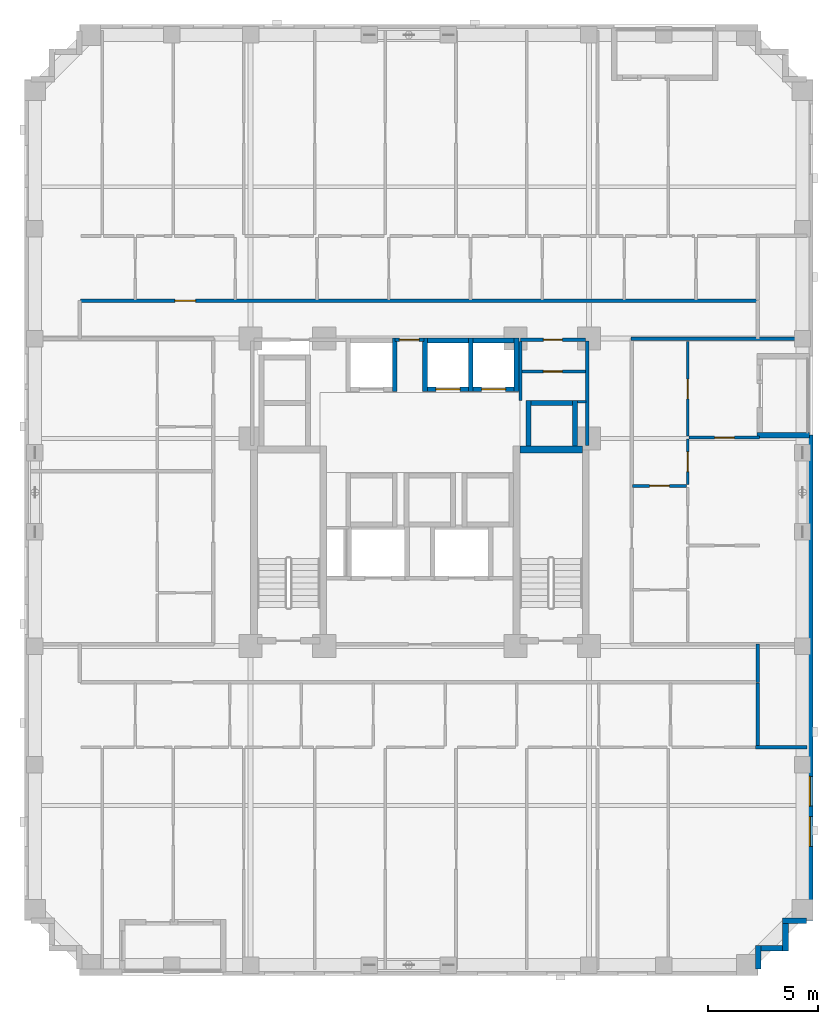
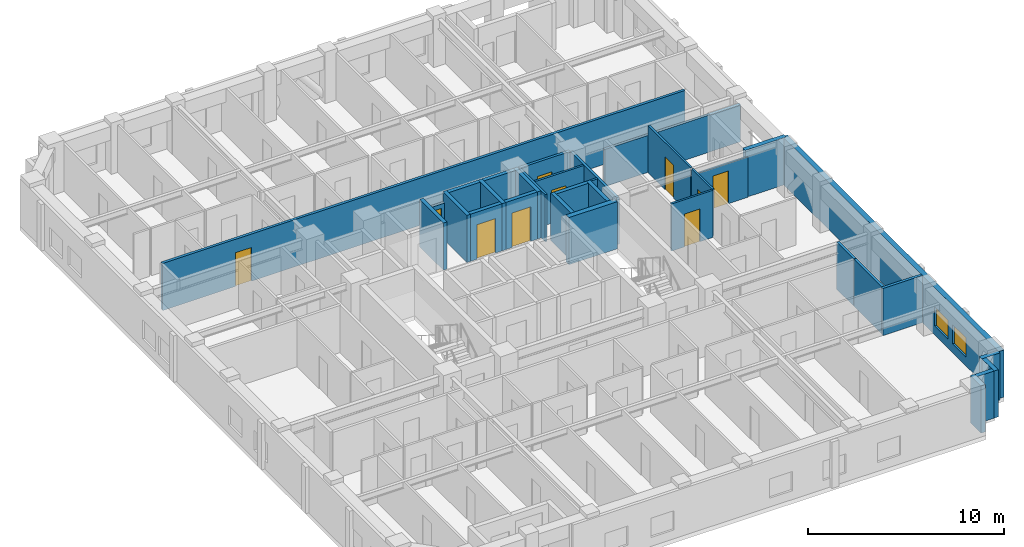
# One storey, part 6 of 13: 33 walls, 10 doors, 2 windows, 12 openings.
"""IFC4 building model written with IfcOpenShell, lengths in metres."""

import ifcopenshell
import ifcopenshell.guid

model = None  # the IFC model being written
_history = None  # IfcOwnerHistory: only IFC2X3 demands one
_inside = {}  # id of a spatial element -> (the spatial element, [elements in it])
_under = {}  # id of a project, library or spatial element -> (it, [spatial elements below it])
_declared = {}  # id of a project -> (the project, [libraries it declares])
_typed = {}  # id of a type object -> (the type object, [elements of that type])
_made_of = {}  # id of a material, layer set ... -> (it, [elements and type objects made of it])


def new_model(schema):
    """Start an empty IFC model of exactly this schema.

    Asked for "IFC4X3", IfcOpenShell would pick the latest addendum, in which some entities
    have other attributes; the version numbers below select the first issue.
    IFC2X3 requires an IfcOwnerHistory on every rooted entity: one is made here for all.
    """
    global model, _history
    if schema == "IFC4X3":
        model = ifcopenshell.file(schema_version=(4, 3, 0, 0))
    else:
        model = ifcopenshell.file(schema=schema)
    _inside.clear()
    _under.clear()
    _declared.clear()
    _typed.clear()
    _made_of.clear()
    _history = None
    if model.schema == "IFC2X3":
        org = make("IfcOrganization", Name="unknown")
        user = make(
            "IfcPersonAndOrganization",
            ThePerson=make("IfcPerson", FamilyName="unknown"),
            TheOrganization=org,
        )
        app = make(
            "IfcApplication",
            ApplicationDeveloper=org,
            Version="unknown",
            ApplicationFullName="unknown",
            ApplicationIdentifier="unknown",
        )
        _history = make(
            "IfcOwnerHistory",
            OwningUser=user,
            OwningApplication=app,
            ChangeAction="ADDED",
            CreationDate=0,
        )
    return model


def make(cls, **values):
    """One entity of the class cls with the attributes given. An attribute that is None is left unset."""
    return model.create_entity(
        cls, **{name: value for name, value in values.items() if value is not None}
    )


def rooted(cls, **values):
    """An entity with a GlobalId (a new one), such as an element, a storey or a relation."""
    return make(cls, GlobalId=ifcopenshell.guid.new(), OwnerHistory=_history, **values)


def si_unit(unit_type, name, prefix=None):
    """IfcSIUnit, for example si_unit("LENGTHUNIT", "METRE", prefix="MILLI")."""
    return make("IfcSIUnit", UnitType=unit_type, Prefix=prefix, Name=name)


def derived_unit(unit_type, elements):
    """IfcDerivedUnit: a product of units, each with its exponent."""
    return make(
        "IfcDerivedUnit",
        Elements=[
            make("IfcDerivedUnitElement", Unit=unit, Exponent=power)
            for unit, power in elements
        ],
        UnitType=unit_type,
    )


def assignment(units):
    """IfcUnitAssignment: the units of a project."""
    return None if units is None else make("IfcUnitAssignment", Units=units)


def point(xyz):
    """IfcCartesianPoint."""
    return None if xyz is None else make("IfcCartesianPoint", Coordinates=xyz)


def direction(xyz):
    """IfcDirection."""
    return None if xyz is None else make("IfcDirection", DirectionRatios=xyz)


def frame(location, z_axis=None, x_axis=None):
    """IfcAxis2Placement3D, a coordinate frame: its origin and axes. An axis left out is left unset."""
    return make(
        "IfcAxis2Placement3D",
        Location=point(location),
        Axis=direction(z_axis),
        RefDirection=direction(x_axis),
    )


def frame_2d(location, x_axis=None):
    """IfcAxis2Placement2D, a coordinate frame in the plane: its origin and x axis."""
    return make(
        "IfcAxis2Placement2D", Location=point(location), RefDirection=direction(x_axis)
    )


def origin():
    """The frame at (0, 0, 0) with its axes left unset."""
    return frame((0.0, 0.0, 0.0))


def place(relative_to, where):
    """IfcLocalPlacement: puts the frame where relative to a parent placement (None: the world)."""
    return make(
        "IfcLocalPlacement", PlacementRelTo=relative_to, RelativePlacement=where
    )


def context(
    kind, dimensions, precision=None, world=None, true_north=None, identifier=None
):
    """IfcGeometricRepresentationContext, for example the 3D "Model" context."""
    return make(
        "IfcGeometricRepresentationContext",
        ContextIdentifier=identifier,
        ContextType=kind,
        CoordinateSpaceDimension=dimensions,
        Precision=precision,
        WorldCoordinateSystem=world,
        TrueNorth=true_north,
    )


def subcontext(parent, identifier, kind, view, scale=None):
    """IfcGeometricRepresentationSubContext, for example "Body" below "Model"."""
    return make(
        "IfcGeometricRepresentationSubContext",
        ContextIdentifier=identifier,
        ContextType=kind,
        ParentContext=parent,
        TargetScale=scale,
        TargetView=view,
    )


def project(units=None, contexts=None):
    """IfcProject with its units and contexts."""
    return rooted(
        "IfcProject",
        Name="project",
        RepresentationContexts=contexts,
        UnitsInContext=assignment(units),
    )


def spatial(cls, under=None, at=None, **own):
    """A site, building, storey or space (cls), placed at a placement, below another one or the project."""
    s = rooted(cls, ObjectPlacement=at, **own)
    if under is not None:
        _under.setdefault(under.id(), (under, []))[1].append(s)
    return s


def profile(cls, at=None, kind="AREA", **sizes):
    """A parametric profile (cls). Its sizes go by their IFC names, for example OverallWidth=200.0."""
    return make(cls, ProfileType=kind, Position=at, **sizes)


def rectangle(**sizes):
    """IfcRectangleProfileDef."""
    return profile("IfcRectangleProfileDef", **sizes)


def extrude(swept, where, along, depth):
    """IfcExtrudedAreaSolid: the profile swept, set in the frame where, extruded along a direction by depth."""
    return make(
        "IfcExtrudedAreaSolid",
        SweptArea=swept,
        Position=where,
        ExtrudedDirection=direction(along),
        Depth=depth,
    )


def shape(context_of_items, identifier, shape_type, items):
    """IfcShapeRepresentation: the items that make up one representation, for example the "Body"."""
    return make(
        "IfcShapeRepresentation",
        ContextOfItems=context_of_items,
        RepresentationIdentifier=identifier,
        RepresentationType=shape_type,
        Items=items,
    )


def material(Name=None, Category=None):
    """IfcMaterial."""
    return make("IfcMaterial", Name=Name, Category=Category)


def layer(
    of_material, thickness, ventilated=None, Name=None, Category=None, Priority=None
):
    """IfcMaterialLayer: one layer of a wall or slab, of a material (None: an air gap)."""
    return make(
        "IfcMaterialLayer",
        Material=of_material,
        LayerThickness=thickness,
        IsVentilated=ventilated,
        Name=Name,
        Category=Category,
        Priority=Priority,
    )


def layer_set(layers, Name=None):
    """IfcMaterialLayerSet."""
    return make("IfcMaterialLayerSet", MaterialLayers=layers, LayerSetName=Name)


def made_of(thing, what):
    """Note that an element or type object is made of a material, layer set ...; save() writes the relation."""
    if what is not None:
        _made_of.setdefault(what.id(), (what, []))[1].append(thing)
    return thing


def type_object(cls, material=None, **own):
    """A type object (cls), such as IfcWallType, which elements share."""
    return made_of(rooted(cls, **own), material)


def element(
    cls,
    number,
    at=None,
    inside=None,
    cuts=None,
    type_object=None,
    material=None,
    context=None,
    identifier="Body",
    shape_type=None,
    held_by="IfcProductDefinitionShape",
    body=None,
    shapes=None,
    **own,
):
    """One element of the class cls, such as IfcWall. Its Tag is "e" and its number.

    at: its placement. inside: the storey or other place that contains it. cuts: it is an
    opening in that element (IfcRelVoidsElement). A single representation is given by context,
    identifier, shape_type and body (its items); several are given by shapes. held_by: the class
    of the entity that holds the representations. save() writes the other relations.
    """
    e = rooted(cls, Tag="e%d" % number, ObjectPlacement=at, **own)
    if body is not None:
        shapes = [shape(context, identifier, shape_type, body)]
    if shapes is not None:
        e.Representation = make(held_by, Representations=shapes)
    if inside is not None:
        _inside.setdefault(inside.id(), (inside, []))[1].append(e)
    if cuts is not None:
        rooted(
            "IfcRelVoidsElement", RelatingBuildingElement=cuts, RelatedOpeningElement=e
        )
    if type_object is not None:
        _typed.setdefault(type_object.id(), (type_object, []))[1].append(e)
    return made_of(e, material)


def fill(opening, filler):
    """IfcRelFillsElement: the door or window that sits in an opening."""
    return rooted(
        "IfcRelFillsElement",
        RelatingOpeningElement=opening,
        RelatedBuildingElement=filler,
    )


def aggregate(whole, parts):
    """IfcRelAggregates: a whole, such as a stair, and the parts it consists of."""
    return rooted("IfcRelAggregates", RelatingObject=whole, RelatedObjects=parts)


def save(model, path):
    """Write the relations noted so far, then the file.

    IfcRelAggregates (storeys below a building ...), IfcRelContainedInSpatialStructure (elements
    in a storey), IfcRelDefinesByType, IfcRelAssociatesMaterial and IfcRelDeclares: one each for
    every whole, place, type object, material and project.
    """
    for whole, parts in _under.values():
        aggregate(whole, parts)
    for where, things in _inside.values():
        rooted(
            "IfcRelContainedInSpatialStructure",
            RelatedElements=things,
            RelatingStructure=where,
        )
    for kind, things in _typed.values():
        rooted("IfcRelDefinesByType", RelatedObjects=things, RelatingType=kind)
    for what, things in _made_of.values():
        rooted("IfcRelAssociatesMaterial", RelatedObjects=things, RelatingMaterial=what)
    for by, libraries in _declared.values():
        rooted("IfcRelDeclares", RelatingContext=by, RelatedDefinitions=libraries)
    model.write(path)


model = new_model("IFC4")

# Units and contexts
model_context = context("Model", 3, precision=1e-05, world=origin(), true_north=direction((0.0, 1.0)))
body_context = subcontext(model_context, "Body", "Model", "MODEL_VIEW")
ifc_project = project(units=[si_unit("LENGTHUNIT", "METRE"), si_unit("AREAUNIT", "SQUARE_METRE"), si_unit("VOLUMEUNIT", "CUBIC_METRE"), si_unit("PLANEANGLEUNIT", "RADIAN"), si_unit("MASSUNIT", "GRAM", prefix="KILO"), derived_unit("THERMALTRANSMITTANCEUNIT", [(si_unit("MASSUNIT", "GRAM", prefix="KILO"), 1), (si_unit("TIMEUNIT", "SECOND"), -3), (si_unit("THERMODYNAMICTEMPERATUREUNIT", "KELVIN"), -1)])], contexts=[model_context])

# Site, building, storey
site_placement = place(None, origin())
site = spatial("IfcSite", under=ifc_project, at=site_placement, CompositionType="ELEMENT")
building_placement = place(site_placement, origin())
building = spatial("IfcBuilding", under=site, at=building_placement, Name="Korrvale Station Residences", CompositionType="ELEMENT")
storey_placement = place(building_placement, frame((0.0, 0.0, 100.699951171875)))
storey = spatial("IfcBuildingStorey", under=building, at=storey_placement, Name="L28", CompositionType="ELEMENT", Elevation=100.699951171875)

# Walls
ifc_material_1 = material(Name="Concrete C60/75", Category="concrete")
ifc_layer_1 = layer(ifc_material_1, 0.300048828125, Name="Concrete C60/75")
ifc_layer_set_1 = layer_set([ifc_layer_1], Name="Concrete C60/75")
wall_type_1 = type_object("IfcWallType", Name="WAL-CORE-300-C60", PredefinedType="SHEAR", material=ifc_layer_set_1)
wall_1_placement = place(storey_placement, frame((30.050048828125, 23.949951171875, 0.0), z_axis=(0.0, 0.0, 1.0), x_axis=(1.0, 0.0, 0.0)))
element("IfcWall", 1, at=wall_1_placement, inside=storey, type_object=wall_type_1, Name="L28 ST-2 Core Shear Wall North", PredefinedType="SHEAR", context=body_context, shape_type="SweptSolid", body=[
    extrude(rectangle(XDim=2.849853515625, YDim=0.300048828125, at=frame_2d((1.4248046875, 0.0))), origin(), (0.0, 0.0, 1.0), 2.93994140625),
])
ifc_material_2 = material(Name="Precast concrete C45/55", Category="concrete")
ifc_layer_2 = layer(ifc_material_2, 0.260009765625, Name="Precast concrete C45/55")
ifc_layer_set_2 = layer_set([ifc_layer_2], Name="Precast concrete C45/55")
wall_type_2 = type_object("IfcWallType", Name="WAL-EXT-LOG260", PredefinedType="SOLIDWALL", material=ifc_layer_set_2)
wall_2_placement = place(storey_placement, frame((40.840087890625, 24.60009765625, 0.0), z_axis=(0.0, 0.0, 1.0), x_axis=(1.0, 0.0, 0.0)))
element("IfcWall", 2, at=wall_2_placement, inside=storey, type_object=wall_type_2, Name="L28 Recessed Loggia Wall BAL-L28-E1-R", PredefinedType="SOLIDWALL", context=body_context, shape_type="SweptSolid", body=[
    extrude(rectangle(XDim=2.39990234375, YDim=0.260009765625, at=frame_2d((1.199951171875, 0.0))), origin(), (0.0, 0.0, 1.0), 2.93994140625),
])
wall_3_placement = place(storey_placement, frame((43.097900390625, 2.5, 0.0), z_axis=(0.0, 0.0, 1.0), x_axis=(-1.0, 0.0, 0.0)))
element("IfcWall", 3, at=wall_3_placement, inside=storey, type_object=wall_type_2, Name="L28 Serrated Corner Precast Step SE-1", PredefinedType="SOLIDWALL", context=body_context, shape_type="SweptSolid", body=[
    extrude(rectangle(XDim=1.077880859375, YDim=0.260009765625, at=frame_2d((0.5390625, 0.0))), origin(), (0.0, 0.0, 1.0), 2.93994140625),
])
wall_4_placement = place(storey_placement, frame((42.14990234375, 2.367919921875, 0.0), z_axis=(0.0, 0.0, 1.0), x_axis=(0.0, -1.0, 0.0)))
element("IfcWall", 4, at=wall_4_placement, inside=storey, type_object=wall_type_2, Name="L28 Serrated Corner Precast Step SE-2", PredefinedType="SOLIDWALL", context=body_context, shape_type="SweptSolid", body=[
    extrude(rectangle(XDim=1.247802734375, YDim=0.260009765625, at=frame_2d((0.6240234375, 0.0))), origin(), (0.0, 0.0, 1.0), 2.93994140625),
])
wall_5_placement = place(storey_placement, frame((42.01806640625, 1.25, 0.0), z_axis=(0.0, 0.0, 1.0), x_axis=(-1.0, 0.0, 0.0)))
element("IfcWall", 5, at=wall_5_placement, inside=storey, type_object=wall_type_2, Name="L28 Serrated Corner Precast Step SE-3", PredefinedType="SOLIDWALL", context=body_context, shape_type="SweptSolid", body=[
    extrude(rectangle(XDim=0.986083984375, YDim=0.260009765625, at=frame_2d((0.4931640625, 0.0))), origin(), (0.0, 0.0, 1.0), 2.93994140625),
])
wall_6_placement = place(storey_placement, frame((40.89990234375, 1.3798828125, 0.0), z_axis=(0.0, 0.0, 1.0), x_axis=(0.0, -1.0, 0.0)))
element("IfcWall", 6, at=wall_6_placement, inside=storey, type_object=wall_type_2, Name="L28 Serrated Corner Precast Step SE-4", PredefinedType="SOLIDWALL", context=body_context, shape_type="SweptSolid", body=[
    extrude(rectangle(XDim=1.077880859375, YDim=0.260009765625, at=frame_2d((0.5390625, 0.0))), origin(), (0.0, 0.0, 1.0), 2.93994140625),
])

# Wall, openings, windows
ifc_layer_3 = layer(ifc_material_2, 0.300048828125, Name="Precast concrete C45/55")
ifc_layer_set_3 = layer_set([ifc_layer_3], Name="Precast concrete C45/55")
wall_type_3 = type_object("IfcWallType", Name="WAL-EXT-PC300", PredefinedType="SOLIDWALL", material=ifc_layer_set_3)
wall_7_placement = place(storey_placement, frame((43.25, 24.60009765625, 0.0), z_axis=(0.0, 0.0, 1.0), x_axis=(0.0, -1.0, 0.0)))
wall_7 = element("IfcWall", 7, at=wall_7_placement, inside=storey, type_object=wall_type_3, Name="L28 East Exterior Precast Wall 2", PredefinedType="SOLIDWALL", context=body_context, shape_type="SweptSolid", body=[
    extrude(rectangle(XDim=22.10009765625, YDim=0.300048828125, at=frame_2d((11.050048828125, 0.0))), origin(), (0.0, 0.0, 1.0), 2.93994140625),
])
opening_1_placement = place(wall_7_placement, frame((17.365966796875, 0.0, 0.550048828125)))
opening_1 = element("IfcOpeningElement", 8, at=opening_1_placement, cuts=wall_7, Name="Opening W-10", PredefinedType="OPENING", context=body_context, shape_type="SweptSolid", body=[
    extrude(rectangle(XDim=1.35009765625, YDim=1.199951171875, at=frame_2d((0.675048828125, 0.60009765625))), frame((0.0, 0.16015625, 0.0), z_axis=(0.0, -1.0, 0.0), x_axis=(1.0, 0.0, 0.0)), (0.0, 0.0, 1.0), 0.320068359375),
])
opening_2_placement = place(wall_7_placement, frame((15.534912109375, 0.0, 0.550048828125)))
opening_2 = element("IfcOpeningElement", 9, at=opening_2_placement, cuts=wall_7, Name="Opening W-10", PredefinedType="OPENING", context=body_context, shape_type="SweptSolid", body=[
    extrude(rectangle(XDim=1.35009765625, YDim=1.199951171875, at=frame_2d((0.675048828125, 0.60009765625))), frame((0.0, 0.16015625, 0.0), z_axis=(0.0, -1.0, 0.0), x_axis=(1.0, 0.0, 0.0)), (0.0, 0.0, 1.0), 0.320068359375),
])
ifc_material_3 = material(Name="Thermally broken aluminium frame with triple low-e glazing", Category="aluminium")
window_type = type_object("IfcWindowType", Name="WIN-W10", PartitioningType="SINGLE_PANEL", PredefinedType="WINDOW", material=ifc_material_3)
window_1_placement = place(opening_1_placement, origin())
window_1 = element("IfcWindow", 10, at=window_1_placement, inside=storey, type_object=window_type, Name="L28 Punched Window 10", OverallHeight=1.199951171875, OverallWidth=1.35009765625, PartitioningType="SINGLE_PANEL", PredefinedType="WINDOW", context=body_context, shape_type="SweptSolid", body=[
    extrude(rectangle(XDim=1.35009765625, YDim=1.199951171875, at=frame_2d((0.675048828125, 0.60009765625))), frame((0.0, 0.030029296875, 0.0), z_axis=(0.0, -1.0, 0.0), x_axis=(1.0, 0.0, 0.0)), (0.0, 0.0, 1.0), 0.06005859375),
])
fill(opening_1, window_1)
window_2_placement = place(opening_2_placement, origin())
window_2 = element("IfcWindow", 11, at=window_2_placement, inside=storey, type_object=window_type, Name="L28 Punched Window 11", OverallHeight=1.199951171875, OverallWidth=1.35009765625, PartitioningType="SINGLE_PANEL", PredefinedType="WINDOW", context=body_context, shape_type="SweptSolid", body=[
    extrude(rectangle(XDim=1.35009765625, YDim=1.199951171875, at=frame_2d((0.675048828125, 0.60009765625))), frame((0.0, 0.030029296875, 0.0), z_axis=(0.0, -1.0, 0.0), x_axis=(1.0, 0.0, 0.0)), (0.0, 0.0, 1.0), 0.06005859375),
])
fill(opening_2, window_2)

# Walls
ifc_material_4 = material(Name="Acoustic steel-stud gypsum board partition", Category="steel")
ifc_layer_4 = layer(ifc_material_4, 0.1201171875, Name="Acoustic steel-stud gypsum board partition")
ifc_layer_set_4 = layer_set([ifc_layer_4], Name="Acoustic steel-stud gypsum board partition")
wall_type_4 = type_object("IfcWallType", Name="WAL-PART-125", PredefinedType="PARTITIONING", material=ifc_layer_set_4)
wall_8_placement = place(storey_placement, frame((30.080078125, 26.179931640625, 0.0), z_axis=(0.0, 0.0, 1.0), x_axis=(0.0, 1.0, 0.0)))
element("IfcWall", 12, at=wall_8_placement, inside=storey, type_object=wall_type_4, Name="L28 Core Partition CW-CS-W", PredefinedType="PARTITIONING", context=body_context, shape_type="SweptSolid", body=[
    extrude(rectangle(XDim=2.68017578125, YDim=0.1201171875, at=frame_2d((1.340087890625, 0.0))), origin(), (0.0, 0.0, 1.0), 2.93994140625),
])
wall_9_placement = place(storey_placement, frame((32.679931640625, 26.1201171875, 0.0), z_axis=(0.0, 0.0, 1.0), x_axis=(1.0, 0.0, 0.0)))
element("IfcWall", 13, at=wall_9_placement, inside=storey, type_object=wall_type_4, Name="L28 Core Partition CW-CS-S", PredefinedType="PARTITIONING", context=body_context, shape_type="SweptSolid", body=[
    extrude(rectangle(XDim=0.380126953125, YDim=0.1201171875, at=frame_2d((0.18994140625, 0.0))), origin(), (0.0, 0.0, 1.0), 2.93994140625),
])

# Wall, opening, door
wall_10_placement = place(storey_placement, frame((30.159912109375, 27.5, 0.0), z_axis=(0.0, 0.0, 1.0), x_axis=(1.0, 0.0, 0.0)))
wall_10 = element("IfcWall", 14, at=wall_10_placement, inside=storey, type_object=wall_type_4, Name="L28 Core Partition CW-CS-H", PredefinedType="PARTITIONING", context=body_context, shape_type="SweptSolid", body=[
    extrude(rectangle(XDim=2.880126953125, YDim=0.1201171875, at=frame_2d((1.43994140625, 0.0))), origin(), (0.0, 0.0, 1.0), 2.93994140625),
])
opening_3_placement = place(wall_10_placement, frame((0.969970703125, 0.0, 0.0)))
opening_3 = element("IfcOpeningElement", 15, at=opening_3_placement, cuts=wall_10, Name="Opening DB-860", PredefinedType="OPENING", context=body_context, shape_type="SweptSolid", body=[
    extrude(rectangle(XDim=0.860107421875, YDim=2.050048828125, at=frame_2d((0.43017578125, 1.02490234375))), frame((0.0, 0.070068359375, 0.0), z_axis=(0.0, -1.0, 0.0), x_axis=(1.0, 0.0, 0.0)), (0.0, 0.0, 1.0), 0.14013671875),
])
ifc_material_5 = material(Name="Moisture-resistant solid-core bathroom door", Category="timber")
door_type_1 = type_object("IfcDoorType", Name="DR-BATH-860", OperationType="NOTDEFINED", PredefinedType="DOOR", material=ifc_material_5)
door_1_placement = place(opening_3_placement, origin())
door_1 = element("IfcDoor", 16, at=door_1_placement, inside=storey, type_object=door_type_1, Name="L28 Mail Sorting Inner Door", OperationType="SINGLE_SWING_RIGHT", OverallHeight=2.050048828125, OverallWidth=0.860107421875, PredefinedType="DOOR", context=body_context, shape_type="SweptSolid", body=[
    extrude(rectangle(XDim=0.860107421875, YDim=2.050048828125, at=frame_2d((0.43017578125, 1.02490234375))), frame((0.0, 0.02490234375, 0.0), z_axis=(0.0, -1.0, 0.0), x_axis=(1.0, 0.0, 0.0)), (0.0, 0.0, 1.0), 0.050048828125),
])
fill(opening_3, door_1)

wall_11_placement = place(storey_placement, frame((35.18994140625, 22.2900390625, 0.0), z_axis=(0.0, 0.0, 1.0), x_axis=(1.0, 0.0, 0.0)))
wall_11 = element("IfcWall", 17, at=wall_11_placement, inside=storey, type_object=wall_type_4, Name="L28 Suite Partition U05-H02", PredefinedType="PARTITIONING", context=body_context, shape_type="SweptSolid", body=[
    extrude(rectangle(XDim=2.449951171875, YDim=0.1201171875, at=frame_2d((1.22509765625, 0.0))), origin(), (0.0, 0.0, 1.0), 2.93994140625),
])
opening_4_placement = place(wall_11_placement, frame((0.77490234375, 0.0, 0.0)))
opening_4 = element("IfcOpeningElement", 18, at=opening_4_placement, cuts=wall_11, Name="Opening DI-900", PredefinedType="OPENING", context=body_context, shape_type="SweptSolid", body=[
    extrude(rectangle(XDim=0.89990234375, YDim=2.050048828125, at=frame_2d((0.449951171875, 1.02490234375))), frame((0.0, 0.070068359375, 0.0), z_axis=(0.0, -1.0, 0.0), x_axis=(1.0, 0.0, 0.0)), (0.0, 0.0, 1.0), 0.14013671875),
])
ifc_material_6 = material(Name="Painted solid-core timber interior room door", Category="wood")
door_type_2 = type_object("IfcDoorType", Name="DR-INT-900", OperationType="NOTDEFINED", PredefinedType="DOOR", material=ifc_material_6)
door_2_placement = place(opening_4_placement, origin())
door_2 = element("IfcDoor", 19, at=door_2_placement, inside=storey, type_object=door_type_2, Name="L28 Apartment 2BR L28-U05 Wardrobe Storage Room Door", OperationType="SINGLE_SWING_LEFT", OverallHeight=2.050048828125, OverallWidth=0.89990234375, PredefinedType="DOOR", context=body_context, shape_type="SweptSolid", body=[
    extrude(rectangle(XDim=0.89990234375, YDim=2.050048828125, at=frame_2d((0.449951171875, 1.02490234375))), frame((0.0, 0.02490234375, 0.0), z_axis=(0.0, -1.0, 0.0), x_axis=(1.0, 0.0, 0.0)), (0.0, 0.0, 1.0), 0.050048828125),
])
fill(opening_4, door_2)

wall_12_placement = place(storey_placement, frame((37.699951171875, 22.35009765625, 0.0), z_axis=(0.0, 0.0, 1.0), x_axis=(0.0, 1.0, 0.0)))
wall_12 = element("IfcWall", 20, at=wall_12_placement, inside=storey, type_object=wall_type_4, Name="L28 Suite Partition U05-V04", PredefinedType="PARTITIONING", context=body_context, shape_type="SweptSolid", body=[
    extrude(rectangle(XDim=2.081787109375, YDim=0.1201171875, at=frame_2d((1.041015625, 0.0))), origin(), (0.0, 0.0, 1.0), 2.93994140625),
])
opening_5_placement = place(wall_12_placement, frame((0.591064453125, 0.0, 0.0)))
opening_5 = element("IfcOpeningElement", 21, at=opening_5_placement, cuts=wall_12, Name="Opening DI-900", PredefinedType="OPENING", context=body_context, shape_type="SweptSolid", body=[
    extrude(rectangle(XDim=0.89990234375, YDim=2.050048828125, at=frame_2d((0.449951171875, 1.02490234375))), frame((0.0, 0.070068359375, 0.0), z_axis=(0.0, -1.0, 0.0), x_axis=(1.0, 0.0, 0.0)), (0.0, 0.0, 1.0), 0.14013671875),
])
door_3_placement = place(opening_5_placement, origin())
door_3 = element("IfcDoor", 22, at=door_3_placement, inside=storey, type_object=door_type_2, Name="L28 Apartment 2BR L28-U05 Wardrobe Storage Room Door", OperationType="SINGLE_SWING_RIGHT", OverallHeight=2.050048828125, OverallWidth=0.89990234375, PredefinedType="DOOR", context=body_context, shape_type="SweptSolid", body=[
    extrude(rectangle(XDim=0.89990234375, YDim=2.050048828125, at=frame_2d((0.449951171875, 1.02490234375))), frame((0.0, 0.02490234375, 0.0), z_axis=(0.0, -1.0, 0.0), x_axis=(1.0, 0.0, 0.0)), (0.0, 0.0, 1.0), 0.050048828125),
])
fill(opening_5, door_3)

wall_13_placement = place(storey_placement, frame((37.699951171875, 24.552001953125, 0.0), z_axis=(0.0, 0.0, 1.0), x_axis=(0.0, 1.0, 0.0)))
wall_13 = element("IfcWall", 23, at=wall_13_placement, inside=storey, type_object=wall_type_4, Name="L28 Suite Partition U05-V05", PredefinedType="PARTITIONING", context=body_context, shape_type="SweptSolid", body=[
    extrude(rectangle(XDim=4.30810546875, YDim=0.1201171875, at=frame_2d((2.154052734375, 0.0))), origin(), (0.0, 0.0, 1.0), 2.93994140625),
])
opening_6_placement = place(wall_13_placement, frame((1.7041015625, 0.0, 0.0)))
opening_6 = element("IfcOpeningElement", 24, at=opening_6_placement, cuts=wall_13, Name="Opening DI-900", PredefinedType="OPENING", context=body_context, shape_type="SweptSolid", body=[
    extrude(rectangle(XDim=0.89990234375, YDim=2.050048828125, at=frame_2d((0.449951171875, 1.02490234375))), frame((0.0, 0.070068359375, 0.0), z_axis=(0.0, -1.0, 0.0), x_axis=(1.0, 0.0, 0.0)), (0.0, 0.0, 1.0), 0.14013671875),
])
door_4_placement = place(opening_6_placement, origin())
door_4 = element("IfcDoor", 25, at=door_4_placement, inside=storey, type_object=door_type_2, Name="L28 Apartment 2BR L28-U05 Wardrobe Storage Room Door", OperationType="SINGLE_SWING_LEFT", OverallHeight=2.050048828125, OverallWidth=0.89990234375, PredefinedType="DOOR", context=body_context, shape_type="SweptSolid", body=[
    extrude(rectangle(XDim=0.89990234375, YDim=2.050048828125, at=frame_2d((0.449951171875, 1.02490234375))), frame((0.0, 0.02490234375, 0.0), z_axis=(0.0, -1.0, 0.0), x_axis=(1.0, 0.0, 0.0)), (0.0, 0.0, 1.0), 0.050048828125),
])
fill(opening_6, door_4)

wall_14_placement = place(storey_placement, frame((37.760009765625, 24.491943359375, 0.0), z_axis=(0.0, 0.0, 1.0), x_axis=(1.0, 0.0, 0.0)))
wall_14 = element("IfcWall", 26, at=wall_14_placement, inside=storey, type_object=wall_type_4, Name="L28 Suite Partition U05-H45", PredefinedType="PARTITIONING", context=body_context, shape_type="SweptSolid", body=[
    extrude(rectangle(XDim=3.2099609375, YDim=0.1201171875, at=frame_2d((1.60498046875, 0.0))), origin(), (0.0, 0.0, 1.0), 2.51806640625),
])
opening_7_placement = place(wall_14_placement, frame((1.155029296875, 0.0, 0.0)))
opening_7 = element("IfcOpeningElement", 27, at=opening_7_placement, cuts=wall_14, Name="Opening DI-900", PredefinedType="OPENING", context=body_context, shape_type="SweptSolid", body=[
    extrude(rectangle(XDim=0.89990234375, YDim=2.050048828125, at=frame_2d((0.449951171875, 1.02490234375))), frame((0.0, 0.070068359375, 0.0), z_axis=(0.0, -1.0, 0.0), x_axis=(1.0, 0.0, 0.0)), (0.0, 0.0, 1.0), 0.14013671875),
])
door_5_placement = place(opening_7_placement, origin())
door_5 = element("IfcDoor", 28, at=door_5_placement, inside=storey, type_object=door_type_2, Name="L28 Apartment 2BR L28-U05 Living and Dining Room Door", OperationType="SINGLE_SWING_RIGHT", OverallHeight=2.050048828125, OverallWidth=0.89990234375, PredefinedType="DOOR", context=body_context, shape_type="SweptSolid", body=[
    extrude(rectangle(XDim=0.89990234375, YDim=2.050048828125, at=frame_2d((0.449951171875, 1.02490234375))), frame((0.0, 0.02490234375, 0.0), z_axis=(0.0, -1.0, 0.0), x_axis=(1.0, 0.0, 0.0)), (0.0, 0.0, 1.0), 0.050048828125),
])
fill(opening_7, door_5)

# Wall
ifc_material_7 = material(Name="Fire-rated twin-stud gypsum and mineral wool shaftwall assembly", Category="gypsum")
ifc_layer_5 = layer(ifc_material_7, 0.159912109375, Name="Fire-rated twin-stud gypsum and mineral wool shaftwall assembly")
ifc_layer_set_5 = layer_set([ifc_layer_5], Name="Fire-rated twin-stud gypsum and mineral wool shaftwall assembly")
wall_type_5 = type_object("IfcWallType", Name="WAL-PART-200", PredefinedType="PARTITIONING", material=ifc_layer_set_5)
wall_15_placement = place(storey_placement, frame((33.1201171875, 24.1201171875, 0.0), z_axis=(0.0, 0.0, 1.0), x_axis=(0.0, 1.0, 0.0)))
element("IfcWall", 29, at=wall_15_placement, inside=storey, type_object=wall_type_5, Name="L28 Core Partition CW-E-N", PredefinedType="PARTITIONING", context=body_context, shape_type="SweptSolid", body=[
    extrude(rectangle(XDim=4.759765625, YDim=0.159912109375, at=frame_2d((2.3798828125, 0.0))), origin(), (0.0, 0.0, 1.0), 2.93994140625),
])

# Wall, opening, door
wall_16_placement = place(storey_placement, frame((24.360107421875, 28.949951171875, 0.0), z_axis=(0.0, 0.0, 1.0), x_axis=(1.0, 0.0, 0.0)))
wall_16 = element("IfcWall", 30, at=wall_16_placement, inside=storey, type_object=wall_type_5, Name="L28 Core Partition CW-LLOB-N", PredefinedType="PARTITIONING", context=body_context, shape_type="SweptSolid", body=[
    extrude(rectangle(XDim=1.31982421875, YDim=0.159912109375, at=frame_2d((0.659912109375, 0.0))), origin(), (0.0, 0.0, 1.0), 2.31298828125),
])
opening_8_placement = place(wall_16_placement, frame((0.2099609375, 0.0, 0.0)))
opening_8 = element("IfcOpeningElement", 31, at=opening_8_placement, cuts=wall_16, Name="Opening DI-900", PredefinedType="OPENING", context=body_context, shape_type="SweptSolid", body=[
    extrude(rectangle(XDim=0.89990234375, YDim=2.050048828125, at=frame_2d((0.449951171875, 1.02490234375))), frame((0.0, 0.08984375, 0.0), z_axis=(0.0, -1.0, 0.0), x_axis=(1.0, 0.0, 0.0)), (0.0, 0.0, 1.0), 0.179931640625),
])
door_6_placement = place(opening_8_placement, origin())
door_6 = element("IfcDoor", 32, at=door_6_placement, inside=storey, type_object=door_type_2, Name="L28 Central Hallway North Passage Door", OperationType="SINGLE_SWING_RIGHT", OverallHeight=2.050048828125, OverallWidth=0.89990234375, PredefinedType="DOOR", context=body_context, shape_type="SweptSolid", body=[
    extrude(rectangle(XDim=0.89990234375, YDim=2.050048828125, at=frame_2d((0.449951171875, 1.02490234375))), frame((0.0, 0.02490234375, 0.0), z_axis=(0.0, -1.0, 0.0), x_axis=(1.0, 0.0, 0.0)), (0.0, 0.0, 1.0), 0.050048828125),
])
fill(opening_8, door_6)

wall_17_placement = place(storey_placement, frame((30.080078125, 28.949951171875, 0.0), z_axis=(0.0, 0.0, 1.0), x_axis=(1.0, 0.0, 0.0)))
wall_17 = element("IfcWall", 33, at=wall_17_placement, inside=storey, type_object=wall_type_5, Name="L28 Core Partition CW-CS-N", PredefinedType="PARTITIONING", context=body_context, shape_type="SweptSolid", body=[
    extrude(rectangle(XDim=2.9599609375, YDim=0.159912109375, at=frame_2d((1.47998046875, 0.0))), origin(), (0.0, 0.0, 1.0), 2.93994140625),
])
opening_9_placement = place(wall_17_placement, frame((1.044921875, 0.0, 0.0)))
opening_9 = element("IfcOpeningElement", 34, at=opening_9_placement, cuts=wall_17, Name="Opening DB-860", PredefinedType="OPENING", context=body_context, shape_type="SweptSolid", body=[
    extrude(rectangle(XDim=0.860107421875, YDim=2.050048828125, at=frame_2d((0.43017578125, 1.02490234375))), frame((0.0, 0.08984375, 0.0), z_axis=(0.0, -1.0, 0.0), x_axis=(1.0, 0.0, 0.0)), (0.0, 0.0, 1.0), 0.179931640625),
])
door_7_placement = place(opening_9_placement, origin())
door_7 = element("IfcDoor", 35, at=door_7_placement, inside=storey, type_object=door_type_1, Name="L28 Housekeeping Pantry Door", OperationType="SINGLE_SWING_LEFT", OverallHeight=2.050048828125, OverallWidth=0.860107421875, PredefinedType="DOOR", context=body_context, shape_type="SweptSolid", body=[
    extrude(rectangle(XDim=0.860107421875, YDim=2.050048828125, at=frame_2d((0.43017578125, 1.02490234375))), frame((0.0, 0.02490234375, 0.0), z_axis=(0.0, -1.0, 0.0), x_axis=(1.0, 0.0, 0.0)), (0.0, 0.0, 1.0), 0.050048828125),
])
fill(opening_9, door_7)

# Walls
wall_18_placement = place(storey_placement, frame((40.8798828125, 13.35009765625, 0.0), z_axis=(0.0, 0.0, 1.0), x_axis=(0.0, 1.0, 0.0)))
element("IfcWall", 36, at=wall_18_placement, inside=storey, type_object=wall_type_5, Name="L28 Corridor South East Cap", PredefinedType="PARTITIONING", context=body_context, shape_type="SweptSolid", body=[
    extrude(rectangle(XDim=1.739990234375, YDim=0.159912109375, at=frame_2d((0.8701171875, 0.0))), origin(), (0.0, 0.0, 1.0), 2.93994140625),
])
wall_19_placement = place(storey_placement, frame((35.110107421875, 28.97998046875, 0.0), z_axis=(0.0, 0.0, 1.0), x_axis=(1.0, 0.0, 0.0)))
element("IfcWall", 37, at=wall_19_placement, inside=storey, type_object=wall_type_5, Name="L28 East Wing North Corridor Wall", PredefinedType="PARTITIONING", context=body_context, shape_type="SweptSolid", body=[
    extrude(rectangle(XDim=8.010009765625, YDim=0.159912109375, at=frame_2d((4.0048828125, 0.0))), origin(), (0.0, 0.0, 1.0), 2.31298828125),
])
wall_20_placement = place(storey_placement, frame((40.780029296875, 10.39990234375, 0.0), z_axis=(0.0, 0.0, 1.0), x_axis=(1.0, 0.0, 0.0)))
element("IfcWall", 38, at=wall_20_placement, inside=storey, type_object=wall_type_5, Name="L28 Corner Step Wall U01-R", PredefinedType="PARTITIONING", context=body_context, shape_type="SweptSolid", body=[
    extrude(rectangle(XDim=2.340087890625, YDim=0.159912109375, at=frame_2d((1.169921875, 0.0))), origin(), (0.0, 0.0, 1.0), 2.93994140625),
])
wall_21_placement = place(storey_placement, frame((40.8798828125, 10.39990234375, 0.0), z_axis=(0.0, 0.0, 1.0), x_axis=(0.0, 1.0, 0.0)))
element("IfcWall", 39, at=wall_21_placement, inside=storey, type_object=wall_type_5, Name="L28 Corner Step Cheek U01-R", PredefinedType="PARTITIONING", context=body_context, shape_type="SweptSolid", body=[
    extrude(rectangle(XDim=2.91015625, YDim=0.159912109375, at=frame_2d((1.455078125, 0.0))), origin(), (0.0, 0.0, 1.0), 2.93994140625),
])

# Wall, opening, door
wall_22_placement = place(storey_placement, frame((10.050048828125, 30.719970703125, 0.0), z_axis=(0.0, 0.0, 1.0), x_axis=(1.0, 0.0, 0.0)))
wall_22 = element("IfcWall", 40, at=wall_22_placement, inside=storey, type_object=wall_type_5, Name="L28 Rated Corridor Wall N", PredefinedType="PARTITIONING", context=body_context, shape_type="SweptSolid", body=[
    extrude(rectangle(XDim=30.800048828125, YDim=0.159912109375, at=frame_2d((15.39990234375, 0.0))), origin(), (0.0, 0.0, 1.0), 2.93994140625),
])
opening_10_placement = place(wall_22_placement, frame((4.294921875, 0.0, 0.0)))
opening_10 = element("IfcOpeningElement", 41, at=opening_10_placement, cuts=wall_22, Name="Opening UD-950", PredefinedType="OPENING", context=body_context, shape_type="SweptSolid", body=[
    extrude(rectangle(XDim=0.949951171875, YDim=2.10009765625, at=frame_2d((0.47509765625, 1.050048828125))), frame((0.0, 0.08984375, 0.0), z_axis=(0.0, -1.0, 0.0), x_axis=(1.0, 0.0, 0.0)), (0.0, 0.0, 1.0), 0.179931640625),
])
ifc_material_8 = material(Name="Solid-core acoustic oak apartment entrance door", Category="timber")
door_type_3 = type_object("IfcDoorType", Name="DR-UNIT-950", OperationType="NOTDEFINED", PredefinedType="DOOR", material=ifc_material_8)
door_8_placement = place(opening_10_placement, origin())
door_8 = element("IfcDoor", 42, at=door_8_placement, inside=storey, type_object=door_type_3, Name="L28 Apartment L28-U02 Entrance Door", OperationType="SINGLE_SWING_RIGHT", OverallHeight=2.10009765625, OverallWidth=0.949951171875, PredefinedType="DOOR", context=body_context, shape_type="SweptSolid", body=[
    extrude(rectangle(XDim=0.949951171875, YDim=2.10009765625, at=frame_2d((0.47509765625, 1.050048828125))), frame((0.0, 0.02490234375, 0.0), z_axis=(0.0, -1.0, 0.0), x_axis=(1.0, 0.0, 0.0)), (0.0, 0.0, 1.0), 0.050048828125),
])
fill(opening_10, door_8)

# Wall
ifc_layer_6 = layer(ifc_material_1, 0.219970703125, Name="Concrete C60/75")
ifc_layer_set_6 = layer_set([ifc_layer_6], Name="Concrete C60/75")
wall_type_6 = type_object("IfcWallType", Name="WAL-SHAFT-220-C60", PredefinedType="SHEAR", material=ifc_layer_set_6)
wall_23_placement = place(storey_placement, frame((24.360107421875, 26.580078125, 0.0), z_axis=(0.0, 0.0, 1.0), x_axis=(0.0, 1.0, 0.0)))
element("IfcWall", 43, at=wall_23_placement, inside=storey, type_object=wall_type_6, Name="L28 Elevator PL-1 Hoistway Wall East", PredefinedType="SHEAR", context=body_context, shape_type="SweptSolid", body=[
    extrude(rectangle(XDim=2.43994140625, YDim=0.219970703125, at=frame_2d((1.219970703125, 0.0))), origin(), (0.0, 0.0, 1.0), 2.93994140625),
])

# Wall, opening, door
wall_24_placement = place(storey_placement, frame((25.85009765625, 26.68994140625, 0.0), z_axis=(0.0, 0.0, 1.0), x_axis=(1.0, 0.0, 0.0)))
wall_24 = element("IfcWall", 44, at=wall_24_placement, inside=storey, type_object=wall_type_6, Name="L28 Elevator PL-2 Hoistway Wall South", PredefinedType="SHEAR", context=body_context, shape_type="SweptSolid", body=[
    extrude(rectangle(XDim=1.85986328125, YDim=0.219970703125, at=frame_2d((0.929931640625, 0.0))), origin(), (0.0, 0.0, 1.0), 2.93994140625),
])
opening_11_placement = place(wall_24_placement, frame((0.3798828125, 0.0, 0.0)))
opening_11 = element("IfcOpeningElement", 45, at=opening_11_placement, cuts=wall_24, Name="Opening LD-1100", PredefinedType="OPENING", context=body_context, shape_type="SweptSolid", body=[
    extrude(rectangle(XDim=1.10009765625, YDim=2.14990234375, at=frame_2d((0.550048828125, 1.074951171875))), frame((0.0, 0.1201171875, 0.0), z_axis=(0.0, -1.0, 0.0), x_axis=(1.0, 0.0, 0.0)), (0.0, 0.0, 1.0), 0.239990234375),
])
ifc_material_9 = material(Name="Brushed stainless-steel elevator landing sliding door", Category="steel")
door_type_4 = type_object("IfcDoorType", Name="DR-LIFT-1100", OperationType="SLIDING_TO_LEFT", PredefinedType="DOOR", material=ifc_material_9)
door_9_placement = place(opening_11_placement, origin())
door_9 = element("IfcDoor", 46, at=door_9_placement, inside=storey, type_object=door_type_4, Name="L28 Elevator PL-2 Sliding Landing Door", OperationType="SLIDING_TO_LEFT", OverallHeight=2.14990234375, OverallWidth=1.10009765625, PredefinedType="DOOR", context=body_context, shape_type="SweptSolid", body=[
    extrude(rectangle(XDim=1.10009765625, YDim=2.14990234375, at=frame_2d((0.550048828125, 1.074951171875))), frame((0.0, 0.02490234375, 0.0), z_axis=(0.0, -1.0, 0.0), x_axis=(1.0, 0.0, 0.0)), (0.0, 0.0, 1.0), 0.050048828125),
])
fill(opening_11, door_9)

# Walls
wall_25_placement = place(storey_placement, frame((25.85009765625, 28.909912109375, 0.0), z_axis=(0.0, 0.0, 1.0), x_axis=(1.0, 0.0, 0.0)))
element("IfcWall", 47, at=wall_25_placement, inside=storey, type_object=wall_type_6, Name="L28 Elevator PL-2 Hoistway Wall North", PredefinedType="SHEAR", context=body_context, shape_type="SweptSolid", body=[
    extrude(rectangle(XDim=1.85986328125, YDim=0.219970703125, at=frame_2d((0.929931640625, 0.0))), origin(), (0.0, 0.0, 1.0), 2.93994140625),
])
for number, where, z_axis, x_axis, name in (
    (48, (25.739990234375, 26.580078125, 0.0), (0.0, 0.0, 1.0), (0.0, 1.0, 0.0), "L28 Elevator PL-2 Hoistway Wall West"),
    (49, (27.820068359375, 26.580078125, 0.0), (0.0, 0.0, 1.0), (0.0, 1.0, 0.0), "L28 Elevator PL-2 Hoistway Wall East"),
):
    element("IfcWall", number, at=place(storey_placement, frame(where, z_axis=z_axis, x_axis=x_axis)), inside=storey, type_object=wall_type_6, Name=name, PredefinedType="SHEAR", context=body_context, shape_type="SweptSolid", body=[
        extrude(rectangle(XDim=2.43994140625, YDim=0.219970703125, at=frame_2d((1.219970703125, 0.0))), origin(), (0.0, 0.0, 1.0), 2.93994140625),
    ])

# Wall, opening, door
wall_26_placement = place(storey_placement, frame((27.929931640625, 26.68994140625, 0.0), z_axis=(0.0, 0.0, 1.0), x_axis=(1.0, 0.0, 0.0)))
wall_26 = element("IfcWall", 50, at=wall_26_placement, inside=storey, type_object=wall_type_6, Name="L28 Elevator PL-3 Hoistway Wall South", PredefinedType="SHEAR", context=body_context, shape_type="SweptSolid", body=[
    extrude(rectangle(XDim=1.860107421875, YDim=0.219970703125, at=frame_2d((0.93017578125, 0.0))), origin(), (0.0, 0.0, 1.0), 2.93994140625),
])
opening_12_placement = place(wall_26_placement, frame((0.3798828125, 0.0, 0.0)))
opening_12 = element("IfcOpeningElement", 51, at=opening_12_placement, cuts=wall_26, Name="Opening LD-1100", PredefinedType="OPENING", context=body_context, shape_type="SweptSolid", body=[
    extrude(rectangle(XDim=1.10009765625, YDim=2.14990234375, at=frame_2d((0.550048828125, 1.074951171875))), frame((0.0, 0.1201171875, 0.0), z_axis=(0.0, -1.0, 0.0), x_axis=(1.0, 0.0, 0.0)), (0.0, 0.0, 1.0), 0.239990234375),
])
door_10_placement = place(opening_12_placement, origin())
door_10 = element("IfcDoor", 52, at=door_10_placement, inside=storey, type_object=door_type_4, Name="L28 Elevator PL-3 Sliding Landing Door", OperationType="SLIDING_TO_LEFT", OverallHeight=2.14990234375, OverallWidth=1.10009765625, PredefinedType="DOOR", context=body_context, shape_type="SweptSolid", body=[
    extrude(rectangle(XDim=1.10009765625, YDim=2.14990234375, at=frame_2d((0.550048828125, 1.074951171875))), frame((0.0, 0.02490234375, 0.0), z_axis=(0.0, -1.0, 0.0), x_axis=(1.0, 0.0, 0.0)), (0.0, 0.0, 1.0), 0.050048828125),
])
fill(opening_12, door_10)

# Walls
wall_27_placement = place(storey_placement, frame((27.929931640625, 28.909912109375, 0.0), z_axis=(0.0, 0.0, 1.0), x_axis=(1.0, 0.0, 0.0)))
element("IfcWall", 53, at=wall_27_placement, inside=storey, type_object=wall_type_6, Name="L28 Elevator PL-3 Hoistway Wall North", PredefinedType="SHEAR", context=body_context, shape_type="SweptSolid", body=[
    extrude(rectangle(XDim=1.860107421875, YDim=0.219970703125, at=frame_2d((0.93017578125, 0.0))), origin(), (0.0, 0.0, 1.0), 2.93994140625),
])
wall_28_placement = place(storey_placement, frame((29.89990234375, 26.580078125, 0.0), z_axis=(0.0, 0.0, 1.0), x_axis=(0.0, 1.0, 0.0)))
element("IfcWall", 54, at=wall_28_placement, inside=storey, type_object=wall_type_6, Name="L28 Elevator PL-3 Hoistway Wall East", PredefinedType="SHEAR", context=body_context, shape_type="SweptSolid", body=[
    extrude(rectangle(XDim=2.43994140625, YDim=0.219970703125, at=frame_2d((1.219970703125, 0.0))), origin(), (0.0, 0.0, 1.0), 2.93994140625),
])
wall_29_placement = place(storey_placement, frame((30.550048828125, 26.06005859375, 0.0), z_axis=(0.0, 0.0, 1.0), x_axis=(1.0, 0.0, 0.0)))
element("IfcWall", 55, at=wall_29_placement, inside=storey, type_object=wall_type_6, Name="L28 Elevator PH-3 Hoistway Wall North", PredefinedType="SHEAR", context=body_context, shape_type="SweptSolid", body=[
    extrude(rectangle(XDim=1.89990234375, YDim=0.219970703125, at=frame_2d((0.949951171875, 0.0))), origin(), (0.0, 0.0, 1.0), 2.93994140625),
])
for number, where, z_axis, x_axis, name in (
    (56, (30.43994140625, 24.10009765625, 0.0), (0.0, 0.0, 1.0), (0.0, 1.0, 0.0), "L28 Elevator PH-3 Hoistway Wall West"),
    (57, (32.56005859375, 24.10009765625, 0.0), (0.0, 0.0, 1.0), (0.0, 1.0, 0.0), "L28 Elevator PH-3 Hoistway Wall East"),
):
    element("IfcWall", number, at=place(storey_placement, frame(where, z_axis=z_axis, x_axis=x_axis)), inside=storey, type_object=wall_type_6, Name=name, PredefinedType="SHEAR", context=body_context, shape_type="SweptSolid", body=[
        extrude(rectangle(XDim=2.06982421875, YDim=0.219970703125, at=frame_2d((1.034912109375, 0.0))), origin(), (0.0, 0.0, 1.0), 2.93994140625),
    ])

save(model, "model.ifc")
